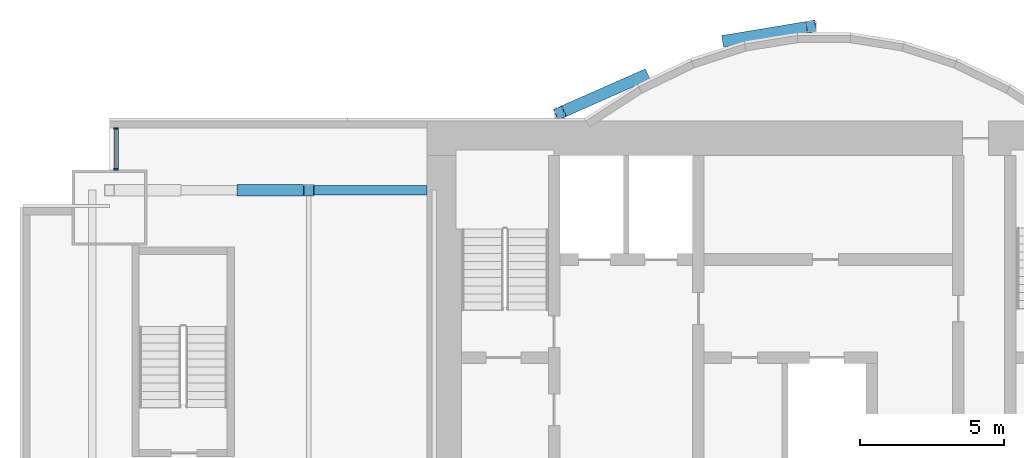
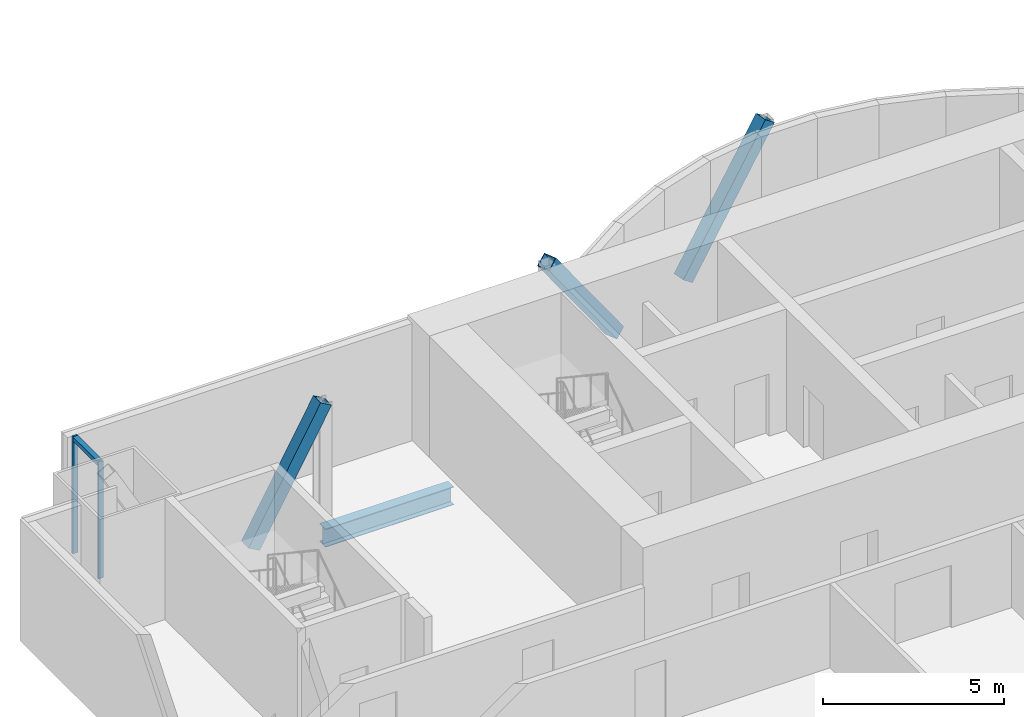
# One storey, part 11 of 22: 6 members, 1 beam, 1 element without a shape of its own.
"""IFC4 building model written with IfcOpenShell, lengths in metres."""

from ifc_helpers import new_model, si_unit, direction, frame, origin, origin_2d, place, context, subcontext, project, spatial, rectangle, hollow_rectangle, i_section, extrude, material, material_profile, profile_set, type_object, element, aggregate, save


model = new_model("IFC4")

# Units and contexts
model_context = context("Model", 3, precision=1e-05, world=origin(), true_north=direction((0.0, 1.0)))
body_context = subcontext(model_context, "Body", "Model", "MODEL_VIEW")
ifc_project = project(units=[si_unit("LENGTHUNIT", "METRE"), si_unit("AREAUNIT", "SQUARE_METRE"), si_unit("VOLUMEUNIT", "CUBIC_METRE"), si_unit("PLANEANGLEUNIT", "RADIAN"), si_unit("MASSUNIT", "GRAM", prefix="KILO")], contexts=[model_context])

# Site, building, storey
site_placement = place(None, origin())
site = spatial("IfcSite", under=ifc_project, at=site_placement, CompositionType="ELEMENT")
building_placement = place(site_placement, origin())
building = spatial("IfcBuilding", under=site, at=building_placement, Name="Bicima Exchange Tower", CompositionType="ELEMENT")
storey_placement = place(building_placement, frame((0.0, 0.0, 148.60009765625)))
storey = spatial("IfcBuildingStorey", under=building, at=storey_placement, Name="L32", CompositionType="ELEMENT", Elevation=148.60009765625)

# Curtain wall, members
ifc_material_1 = material(Name="Anodised bronze aluminium", Category="aluminium")
curtain_wall_type = type_object("IfcCurtainWallType", Name="Front glass wall", PredefinedType="NOTDEFINED", material=ifc_material_1)
curtain_wall_placement = place(storey_placement, origin())
curtain_wall = element("IfcCurtainWall", 1, at=curtain_wall_placement, inside=storey, type_object=curtain_wall_type, Name="Front glass wall L32 run 1", PredefinedType="NOTDEFINED")
ifc_material_profile_1 = material_profile(ifc_material_1, rectangle(XDim=0.159912109375, YDim=0.06005859375, at=origin_2d()))
ifc_profile_set_1 = profile_set([ifc_material_profile_1], Name="Anodised bronze aluminium")
member_type_1 = type_object("IfcMemberType", Name="Front glass wall mullion 60 x 160", PredefinedType="MULLION", material=ifc_profile_set_1)
member_1_placement = place(storey_placement, frame((-32.77001953125, -0.260009765625, 0.0), z_axis=(0.0, 0.0, 1.0), x_axis=(1.0, 0.0, 0.0)))
member_1 = element("IfcMember", 2, at=member_1_placement, type_object=member_type_1, Name="Front glass wall mullion 1", PredefinedType="MULLION", context=body_context, shape_type="SweptSolid", body=[
    extrude(rectangle(XDim=0.159912109375, YDim=0.06005859375, at=origin_2d()), origin(), (0.0, 0.0, 1.0), 3.949951171875),
])
member_2_placement = place(storey_placement, frame((-32.77001953125, -1.669921875, 0.0), z_axis=(0.0, 0.0, 1.0), x_axis=(1.0, 0.0, 0.0)))
member_2 = element("IfcMember", 3, at=member_2_placement, type_object=member_type_1, Name="Front glass wall mullion 2", PredefinedType="MULLION", context=body_context, shape_type="SweptSolid", body=[
    extrude(rectangle(XDim=0.159912109375, YDim=0.06005859375, at=origin_2d()), origin(), (0.0, 0.0, 1.0), 3.949951171875),
])
ifc_material_profile_2 = material_profile(ifc_material_1, rectangle(XDim=0.159912109375, YDim=0.139892578125, at=origin_2d()))
ifc_profile_set_2 = profile_set([ifc_material_profile_2], Name="Anodised bronze aluminium")
member_type_2 = type_object("IfcMemberType", Name="Front glass wall transom 140 x 160", PredefinedType="USERDEFINED", material=ifc_profile_set_2)
member_3_placement = place(storey_placement, frame((-32.77001953125, -0.2900390625, 3.8798828125), z_axis=(0.0, -1.0, 0.0), x_axis=(1.0, 0.0, 0.0)))
member_3 = element("IfcMember", 4, at=member_3_placement, type_object=member_type_2, Name="Front glass wall transom 1.1", ObjectType="TRANSOM", PredefinedType="USERDEFINED", context=body_context, shape_type="SweptSolid", body=[
    extrude(rectangle(XDim=0.159912109375, YDim=0.139892578125, at=origin_2d()), origin(), (0.0, 0.0, 1.0), 1.349853515625),
])
aggregate(curtain_wall, [member_1, member_2, member_3])

# Members
ifc_material_2 = material(Name="Steel ASTM A572 Gr 50", Category="steel")
ifc_material_profile_3 = material_profile(ifc_material_2, hollow_rectangle(XDim=0.406494140625, YDim=0.406494140625, WallThickness=0.017822265625, at=origin_2d()))
ifc_profile_set_3 = profile_set([ifc_material_profile_3], Name="Steel ASTM A572 Gr 50")
member_type_3 = type_object("IfcMemberType", Name="Mega brace HSS16x16x3/4", PredefinedType="BRACE", material=ifc_profile_set_3)
member_4_placement = place(storey_placement, frame((-11.60009765625, 2.783203125, 0.0), z_axis=(0.57481422557, 0.09629432687, 0.812598307096), x_axis=(-0.165220206918, 0.9862567025, 0.0)))
element("IfcMember", 5, at=member_4_placement, inside=storey, type_object=member_type_3, Name="Mega brace rexo", PredefinedType="BRACE", context=body_context, shape_type="SweptSolid", body=[
    extrude(hollow_rectangle(XDim=0.406494140625, YDim=0.406494140625, WallThickness=0.017822265625, at=origin_2d()), origin(), (0.0, 0.0, 1.0), 5.04541015625),
])
member_5_placement = place(storey_placement, frame((-14.5, 1.55615234375, 0.0), z_axis=(-0.559625363617, -0.246644113364, 0.79119285496), x_axis=(0.403298774981, -0.915068357063, 0.0)))
element("IfcMember", 6, at=member_5_placement, inside=storey, type_object=member_type_3, Name="Mega brace rexo", PredefinedType="BRACE", context=body_context, shape_type="SweptSolid", body=[
    extrude(hollow_rectangle(XDim=0.406494140625, YDim=0.406494140625, WallThickness=0.017822265625, at=origin_2d()), origin(), (0.0, 0.0, 1.0), 5.181884765625),
])
member_6_placement = place(storey_placement, frame((-28.39990234375, -2.39990234375, 0.0), z_axis=(0.48923266749, 0.0, 0.872153310526), x_axis=(0.0, 1.0, 0.0)))
element("IfcMember", 7, at=member_6_placement, inside=storey, type_object=member_type_3, Name="Mega brace rear", PredefinedType="BRACE", context=body_context, shape_type="SweptSolid", body=[
    extrude(hollow_rectangle(XDim=0.406494140625, YDim=0.406494140625, WallThickness=0.017822265625, at=origin_2d()), origin(), (0.0, 0.0, 1.0), 4.700927734375),
])

# Beam
ifc_material_3 = material(Name="Steel ASTM A992 Gr 50", Category="steel")
ifc_material_profile_4 = material_profile(ifc_material_3, i_section(OverallWidth=0.3251953125, OverallDepth=0.612060546875, WebThickness=0.0126953125, FlangeThickness=0.01904296875, at=origin_2d()))
ifc_profile_set_4 = profile_set([ifc_material_profile_4], Name="Steel ASTM A992 Gr 50")
beam_type = type_object("IfcBeamType", Name="Rear girder W24x104", PredefinedType="BEAM", material=ifc_profile_set_4)
beam_placement = place(storey_placement, frame((-22.0, -2.39990234375, -0.456298828125), z_axis=(-1.0, 0.0, 0.0), x_axis=(0.0, -1.0, 0.0)))
element("IfcBeam", 8, at=beam_placement, inside=storey, type_object=beam_type, Name="Rear girder", PredefinedType="BEAM", context=body_context, shape_type="SweptSolid", body=[
    extrude(i_section(OverallWidth=0.3251953125, OverallDepth=0.612060546875, WebThickness=0.0126953125, FlangeThickness=0.01904296875, at=origin_2d()), origin(), (0.0, 0.0, 1.0), 4.10009765625),
])

save(model, "model.ifc")
